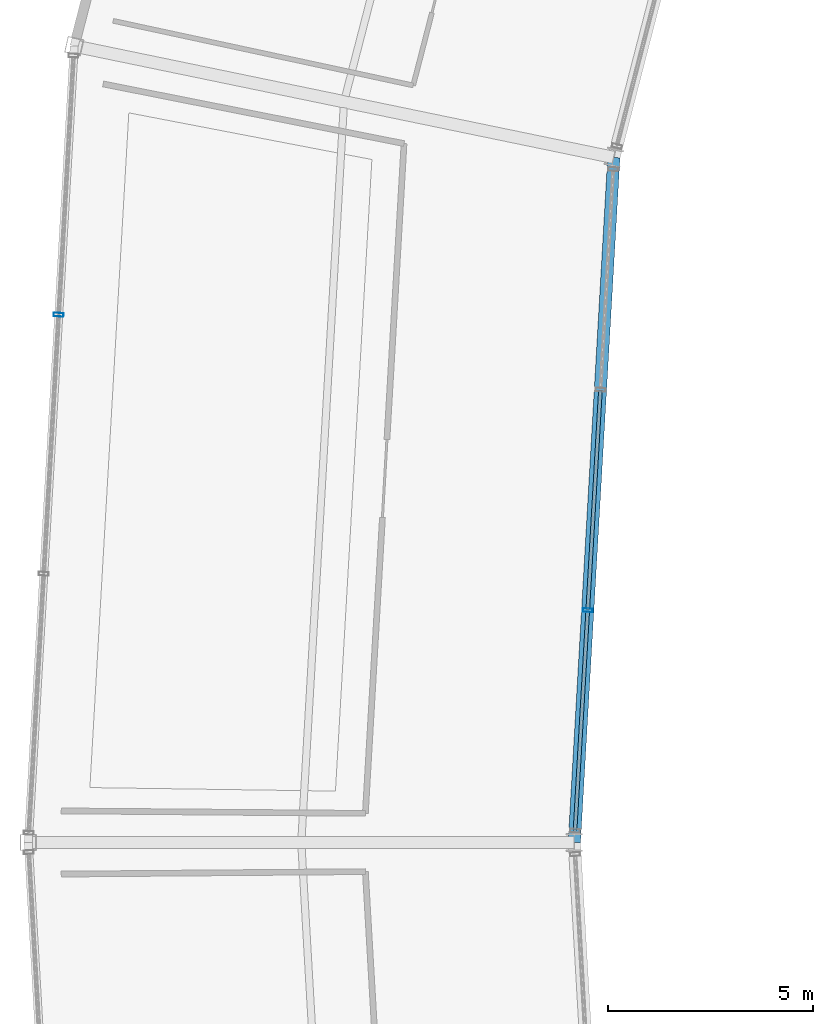
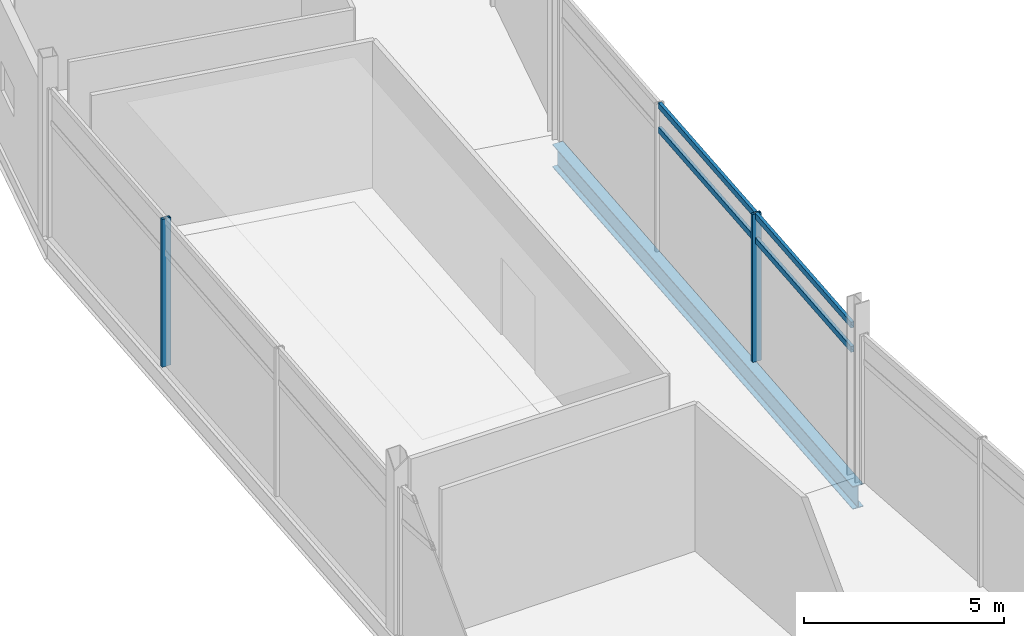
# One storey, part 41 of 86: 6 members, 1 beam, 2 elements without a shape of their own.
"""IFC4 building model written with IfcOpenShell, lengths in metres."""

from ifc_helpers import new_model, si_unit, direction, frame, origin, origin_2d, place, context, subcontext, project, spatial, hollow_rectangle, i_section, extrude, material, layer, layer_set, material_profile, profile_set, type_object, element, aggregate, save


model = new_model("IFC4")

# Units and contexts
model_context = context("Model", 3, precision=1e-05, world=origin(), true_north=direction((0.0, 1.0)))
body_context = subcontext(model_context, "Body", "Model", "MODEL_VIEW")
ifc_project = project(units=[si_unit("LENGTHUNIT", "METRE"), si_unit("AREAUNIT", "SQUARE_METRE"), si_unit("VOLUMEUNIT", "CUBIC_METRE"), si_unit("PLANEANGLEUNIT", "RADIAN"), si_unit("MASSUNIT", "GRAM", prefix="KILO")], contexts=[model_context])

# Site, building, storey
site_placement = place(None, origin())
site = spatial("IfcSite", under=ifc_project, at=site_placement, CompositionType="ELEMENT")
building_placement = place(site_placement, origin())
building = spatial("IfcBuilding", under=site, at=building_placement, Name="Kazemori Nagisa Stadium", CompositionType="ELEMENT")
storey_placement = place(building_placement, frame((0.0, 0.0, 31.280029296875)))
storey = spatial("IfcBuildingStorey", under=building, at=storey_placement, Name="L06", CompositionType="ELEMENT", Elevation=31.280029296875)

# Beam
ifc_material_1 = material(Name="Steel SN490B", Category="steel")
ifc_material_profile_1 = material_profile(ifc_material_1, i_section(OverallWidth=0.300048828125, OverallDepth=0.699951171875, WebThickness=0.012939453125, FlangeThickness=0.02392578125, FilletRadius=0.01806640625, at=origin_2d()), Name="H-700x300x13x24")
ifc_profile_set_1 = profile_set([ifc_material_profile_1], Name="Steel SN490B")
beam_type = type_object("IfcBeamType", Name="Beam_BG-H700", PredefinedType="BEAM", material=ifc_profile_set_1)
beam_placement = place(storey_placement, frame((42.262451171875, 118.68212890625, -0.610107421875), z_axis=(-0.057594854854, -0.998340038611, 0.0), x_axis=(0.998340038611, -0.057594854854, 0.0)))
element("IfcBeam", 1, at=beam_placement, inside=storey, type_object=beam_type, Name="Ring girder BG-H700 L06 R2-14", PredefinedType="BEAM", context=body_context, shape_type="SweptSolid", body=[
    extrude(i_section(OverallWidth=0.300048828125, OverallDepth=0.699951171875, WebThickness=0.012939453125, FlangeThickness=0.02392578125, FilletRadius=0.01806640625, at=origin_2d()), origin(), (0.0, 0.0, 1.0), 16.7099609375),
])

# Curtain wall, member
ifc_material_2 = material(Name="Anodised aluminium 6063-T5", Category="aluminium")
ifc_layer_1 = layer(ifc_material_2, 0.239990234375, Name="Anodised aluminium 6063-T5", Category="aluminium")
ifc_layer_set_1 = layer_set([ifc_layer_1], Name="Anodised aluminium 6063-T5")
curtain_wall_type_1 = type_object("IfcCurtainWallType", Name="CW_L06R3_95", PredefinedType="USERDEFINED", material=ifc_layer_set_1)
curtain_wall_1_placement = place(storey_placement, origin())
curtain_wall_1 = element("IfcCurtainWall", 2, at=curtain_wall_1_placement, inside=storey, type_object=curtain_wall_type_1, Name="Unitised curtain wall CW-L06R3-95 L06", ObjectType="UNITISED CURTAIN WALL", PredefinedType="USERDEFINED")
ifc_material_3 = material(Name="Aluminium 6063-T5 anodised", Category="aluminium")
ifc_material_profile_2 = material_profile(ifc_material_3, hollow_rectangle(XDim=0.090087890625, YDim=0.239990234375, WallThickness=0.0048828125, at=origin_2d()), Name="ALU-MULL-90x240x5")
ifc_profile_set_2 = profile_set([ifc_material_profile_2], Name="Aluminium 6063-T5 anodised")
member_type_1 = type_object("IfcMemberType", Name="Mullion_M03", PredefinedType="MULLION", material=ifc_profile_set_2)
member_1_placement = place(storey_placement, frame((28.74169921875, 114.853515625, 0.0), z_axis=(0.0, 0.0, 1.0), x_axis=(-0.057601670941, -0.998339645364, 0.0)))
member_1 = element("IfcMember", 3, at=member_1_placement, type_object=member_type_1, Name="Curtain wall mullion CW-L06R3-95-M2", PredefinedType="MULLION", context=body_context, shape_type="SweptSolid", body=[
    extrude(hollow_rectangle(XDim=0.090087890625, YDim=0.239990234375, WallThickness=0.0048828125, at=origin_2d()), origin(), (0.0, 0.0, 1.0), 4.510009765625),
])
aggregate(curtain_wall_1, [member_1])

# Curtain wall, members
ifc_layer_2 = layer(ifc_material_2, 0.239990234375, Name="Anodised aluminium 6063-T5", Category="aluminium")
ifc_layer_set_2 = layer_set([ifc_layer_2], Name="Anodised aluminium 6063-T5")
curtain_wall_type_2 = type_object("IfcCurtainWallType", Name="CW_L06G_81", PredefinedType="USERDEFINED", material=ifc_layer_set_2)
curtain_wall_2_placement = place(storey_placement, origin())
curtain_wall_2 = element("IfcCurtainWall", 4, at=curtain_wall_2_placement, inside=storey, type_object=curtain_wall_type_2, Name="Unitised curtain wall CW-L06G-81 L06", ObjectType="UNITISED CURTAIN WALL", PredefinedType="USERDEFINED")
member_2_placement = place(storey_placement, frame((41.626220703125, 107.655517578125, 0.0), z_axis=(0.0, 0.0, 1.0), x_axis=(-0.057601670941, -0.998339645364, 0.0)))
member_2 = element("IfcMember", 5, at=member_2_placement, type_object=member_type_1, Name="Curtain wall mullion CW-L06G-81-M3", PredefinedType="MULLION", context=body_context, shape_type="SweptSolid", body=[
    extrude(hollow_rectangle(XDim=0.090087890625, YDim=0.239990234375, WallThickness=0.0048828125, at=origin_2d()), origin(), (0.0, 0.0, 1.0), 4.510009765625),
])
ifc_material_profile_3 = material_profile(ifc_material_3, hollow_rectangle(XDim=0.090087890625, YDim=0.179931640625, WallThickness=0.0048828125, at=origin_2d()), Name="ALU-TRAN-90x180x5")
ifc_profile_set_3 = profile_set([ifc_material_profile_3], Name="Aluminium 6063-T5 anodised")
member_type_2 = type_object("IfcMemberType", Name="Transom_T03", PredefinedType="USERDEFINED", material=ifc_profile_set_3)
member_3_placement = place(storey_placement, frame((41.93505859375, 113.006591796875, 3.6982421875), z_axis=(-0.057607050835, -0.998339334943, 0.0), x_axis=(0.998339334943, -0.057607050835, 0.0)))
member_3 = element("IfcMember", 6, at=member_3_placement, type_object=member_type_2, Name="Curtain wall transom CW-L06G-81-T2-mid", ObjectType="TRANSOM", PredefinedType="USERDEFINED", context=body_context, shape_type="SweptSolid", body=[
    extrude(hollow_rectangle(XDim=0.090087890625, YDim=0.179931640625, WallThickness=0.0048828125, at=origin_2d()), origin(), (0.0, 0.0, 1.0), 5.33984375),
])
member_4_placement = place(storey_placement, frame((41.93505859375, 113.006591796875, 4.43994140625), z_axis=(-0.057607050835, -0.998339334943, 0.0), x_axis=(0.998339334943, -0.057607050835, 0.0)))
member_4 = element("IfcMember", 7, at=member_4_placement, type_object=member_type_2, Name="Curtain wall transom CW-L06G-81-T2-head", ObjectType="TRANSOM", PredefinedType="USERDEFINED", context=body_context, shape_type="SweptSolid", body=[
    extrude(hollow_rectangle(XDim=0.090087890625, YDim=0.179931640625, WallThickness=0.0048828125, at=origin_2d()), origin(), (0.0, 0.0, 1.0), 5.33984375),
])
member_5_placement = place(storey_placement, frame((41.625244140625, 107.635498046875, 3.6982421875), z_axis=(-0.057607050835, -0.998339334943, 0.0), x_axis=(0.998339334943, -0.057607050835, 0.0)))
member_5 = element("IfcMember", 8, at=member_5_placement, type_object=member_type_2, Name="Curtain wall transom CW-L06G-81-T3-mid", ObjectType="TRANSOM", PredefinedType="USERDEFINED", context=body_context, shape_type="SweptSolid", body=[
    extrude(hollow_rectangle(XDim=0.090087890625, YDim=0.179931640625, WallThickness=0.0048828125, at=origin_2d()), origin(), (0.0, 0.0, 1.0), 5.33984375),
])
member_6_placement = place(storey_placement, frame((41.625244140625, 107.635498046875, 4.43994140625), z_axis=(-0.057607050835, -0.998339334943, 0.0), x_axis=(0.998339334943, -0.057607050835, 0.0)))
member_6 = element("IfcMember", 9, at=member_6_placement, type_object=member_type_2, Name="Curtain wall transom CW-L06G-81-T3-head", ObjectType="TRANSOM", PredefinedType="USERDEFINED", context=body_context, shape_type="SweptSolid", body=[
    extrude(hollow_rectangle(XDim=0.090087890625, YDim=0.179931640625, WallThickness=0.0048828125, at=origin_2d()), origin(), (0.0, 0.0, 1.0), 5.33984375),
])
aggregate(curtain_wall_2, [member_2, member_3, member_4, member_5, member_6])

save(model, "model.ifc")
